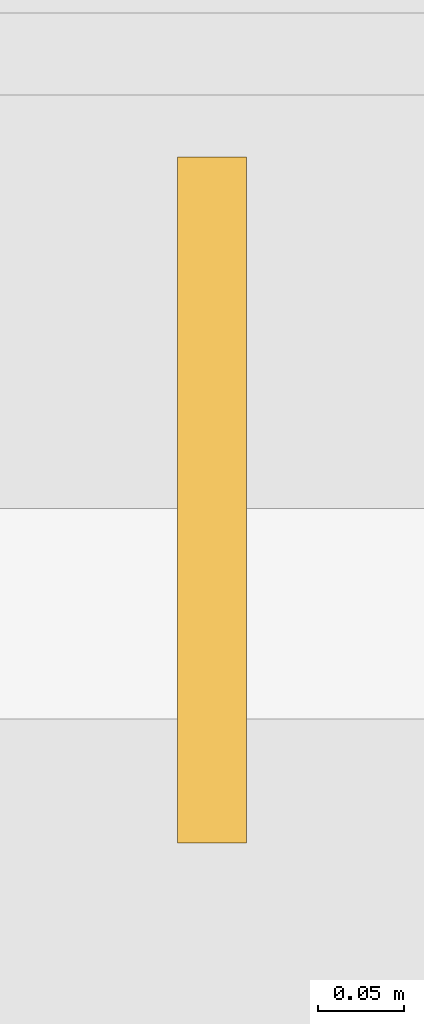
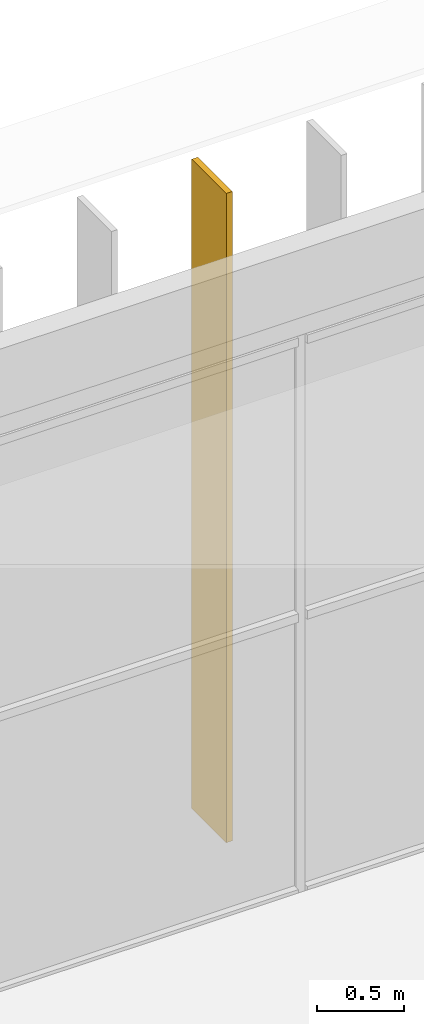
# One storey, part 68 of 74: 1 shading device.
"""IFC4 building model written with IfcOpenShell, lengths in metres."""

from ifc_helpers import new_model, si_unit, direction, frame, origin, origin_2d, place, context, subcontext, project, spatial, rectangle, extrude, material, layer, layer_set, type_object, element, save


model = new_model("IFC4")

# Units and contexts
model_context = context("Model", 3, precision=1e-05, world=origin(), true_north=direction((0.0, 1.0)))
body_context = subcontext(model_context, "Body", "Model", "MODEL_VIEW")
ifc_project = project(units=[si_unit("LENGTHUNIT", "METRE"), si_unit("AREAUNIT", "SQUARE_METRE"), si_unit("VOLUMEUNIT", "CUBIC_METRE"), si_unit("PLANEANGLEUNIT", "RADIAN"), si_unit("MASSUNIT", "GRAM", prefix="KILO")], contexts=[model_context])

# Site, building, storey
site_placement = place(None, origin())
site = spatial("IfcSite", under=ifc_project, at=site_placement, CompositionType="ELEMENT")
building_placement = place(site_placement, origin())
building = spatial("IfcBuilding", under=site, at=building_placement, Name="Lantern Court Media Centre", CompositionType="ELEMENT")
storey_placement = place(building_placement, frame((0.0, 0.0, 19.199951171875)))
storey = spatial("IfcBuildingStorey", under=building, at=storey_placement, Name="L04", CompositionType="ELEMENT", Elevation=19.199951171875)

# Shading device
ifc_material = material(Name="Bronze anodised aluminium louvre", Category="aluminium")
ifc_layer = layer(ifc_material, 0.0400390625)
ifc_layer_set = layer_set([ifc_layer], Name="Bronze anodised aluminium louvre")
shading_device_type = type_object("IfcShadingDeviceType", Name="Vertical louvre 40x400 full storey", PredefinedType="USERDEFINED", material=ifc_layer_set)
shading_device_placement = place(storey_placement, frame((52.0, 115.679931640625, 0.0), z_axis=(0.0, 0.0, 1.0), x_axis=(1.0, 0.0, 0.0)))
element("IfcShadingDevice", 1, at=shading_device_placement, inside=storey, type_object=shading_device_type, Name="Vertical louvre N outer L04", ObjectType="VERTICAL LOUVRE", PredefinedType="USERDEFINED", context=body_context, shape_type="SweptSolid", body=[
    extrude(rectangle(XDim=0.0400390625, YDim=0.39990234375, at=origin_2d()), origin(), (0.0, 0.0, 1.0), 4.580078125),
])

save(model, "model.ifc")
